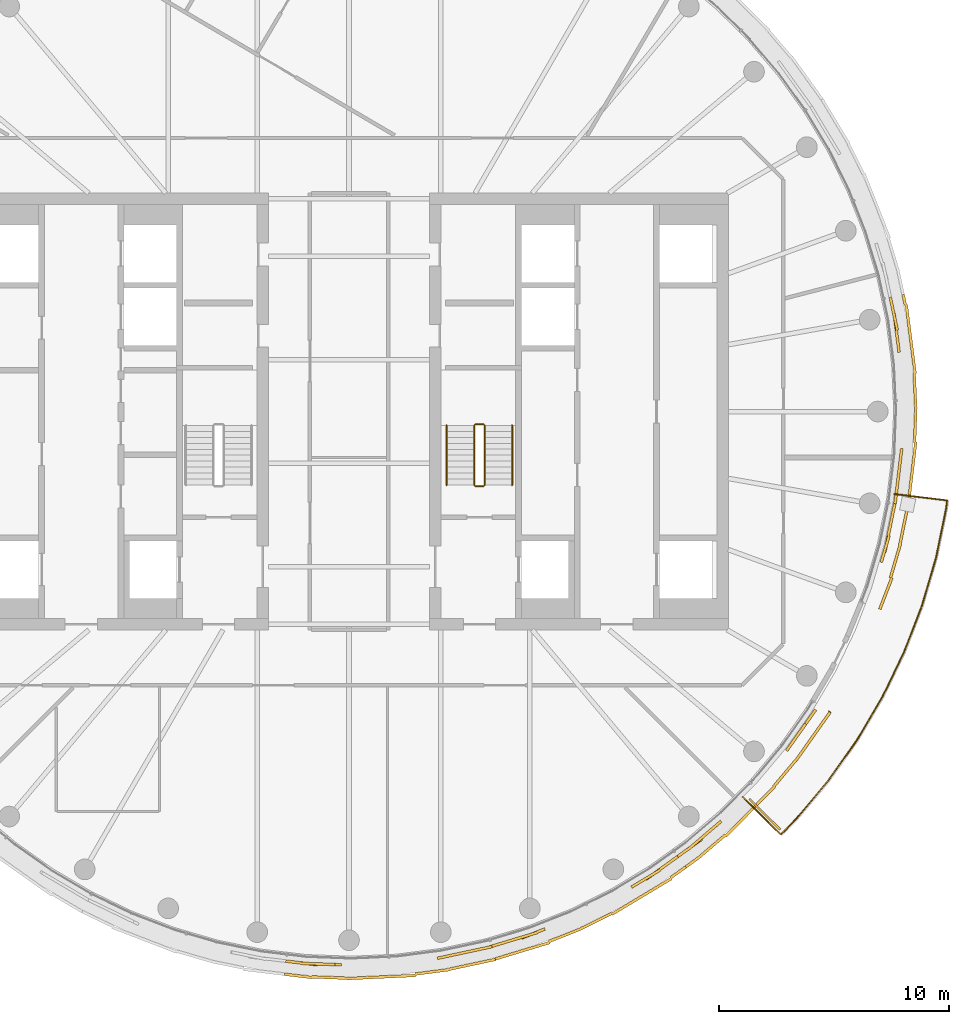
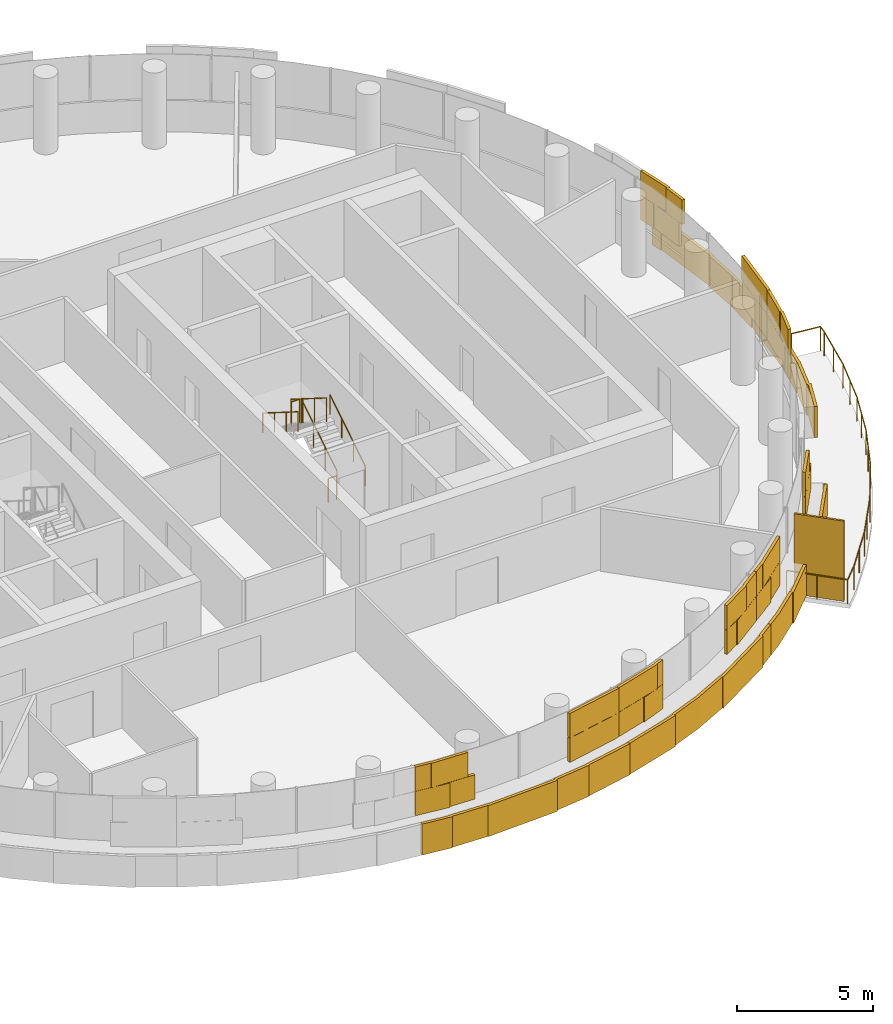
# One storey, part 23 of 26: 7 railings, 5 coverings, 1 shading device.
"""IFC4 building model written with IfcOpenShell, lengths in metres."""

from ifc_helpers import new_model, si_unit, direction, frame, origin, origin_2d, place, context, subcontext, project, spatial, rectangle, circle, extrude, material, layer, layer_set, type_object, element, save


model = new_model("IFC4")

# Units and contexts
model_context = context("Model", 3, precision=1e-05, world=origin(), true_north=direction((0.0, 1.0)))
body_context = subcontext(model_context, "Body", "Model", "MODEL_VIEW")
ifc_project = project(units=[si_unit("LENGTHUNIT", "METRE"), si_unit("AREAUNIT", "SQUARE_METRE"), si_unit("VOLUMEUNIT", "CUBIC_METRE"), si_unit("PLANEANGLEUNIT", "RADIAN"), si_unit("MASSUNIT", "GRAM", prefix="KILO")], contexts=[model_context])

# Site, building, storey
site_placement = place(None, origin())
site = spatial("IfcSite", under=ifc_project, at=site_placement, CompositionType="ELEMENT")
building_placement = place(site_placement, origin())
building = spatial("IfcBuilding", under=site, at=building_placement, Name="Tamarind Cross Interchange Tower", CompositionType="ELEMENT")
storey_placement = place(building_placement, frame((0.0, 0.0, 248.699951171875)))
storey = spatial("IfcBuildingStorey", under=building, at=storey_placement, Name="L63", CompositionType="ELEMENT", Elevation=248.699951171875)

# Railing
ifc_material_1 = material(Name="Stainless steel and laminated glass", Category="steel")
railing_type_1 = type_object("IfcRailingType", Name="Balcony guard", PredefinedType="BALUSTRADE", material=ifc_material_1)
railing_1_placement = place(storey_placement, frame((17.136474609375, -16.7685546875, 0.0)))
element("IfcRailing", 1, at=railing_1_placement, inside=storey, type_object=railing_type_1, Name="Balcony guard 01", PredefinedType="BALUSTRADE", context=body_context, shape_type="SweptSolid", body=[
    extrude(circle(Radius=0.02490234375, at=origin_2d()), frame((0.0, 0.0, 1.0751953125), z_axis=(0.710151671, -0.704048722871, 0.0), x_axis=(0.704048722871, 0.710151671, 0.0)), (0.0, 0.0, 1.0), 2.3203125),
    extrude(circle(Radius=0.02490234375, at=origin_2d()), frame((1.647705078125, -1.633544921875, 1.0751953125), z_axis=(0.703951275382, 0.710248267782, 0.0), x_axis=(-0.710248267782, 0.703951275382, 0.0)), (0.0, 0.0, 1.0), 0.930419921875),
    extrude(circle(Radius=0.02490234375, at=origin_2d()), frame((2.302734375, -0.97265625, 1.0751953125), z_axis=(0.642984125922, 0.765879503455, 0.0), x_axis=(-0.765879503455, 0.642984125922, 0.0)), (0.0, 0.0, 1.0), 2.17529296875),
    extrude(circle(Radius=0.02490234375, at=origin_2d()), frame((3.701416015625, 0.693359375, 1.0751953125), z_axis=(0.577590617379, 0.81632657602, 0.0), x_axis=(-0.81632657602, 0.577590617379, 0.0)), (0.0, 0.0, 1.0), 2.175048828125),
    extrude(circle(Radius=0.02490234375, at=origin_2d()), frame((4.957763671875, 2.468994140625, 1.0751953125), z_axis=(0.508226290333, 0.861223570169, 0.0), x_axis=(-0.861223570169, 0.508226290333, 0.0)), (0.0, 0.0, 1.0), 2.175048828125),
    extrude(circle(Radius=0.02490234375, at=origin_2d()), frame((6.063232421875, 4.34228515625, 1.0751953125), z_axis=(0.435276325285, 0.90029690694, 0.0), x_axis=(-0.90029690694, 0.435276325285, 0.0)), (0.0, 0.0, 1.0), 2.175048828125),
    extrude(circle(Radius=0.02490234375, at=origin_2d()), frame((7.010009765625, 6.300537109375, 1.0751953125), z_axis=(0.359497979449, 0.93314586361, 0.0), x_axis=(-0.93314586361, 0.359497979449, 0.0)), (0.0, 0.0, 1.0), 2.17529296875),
    extrude(circle(Radius=0.02490234375, at=origin_2d()), frame((7.7919921875, 8.330322265625, 1.0751953125), z_axis=(0.281266871208, 0.959629588519, 0.0), x_axis=(-0.959629588519, 0.281266871208, 0.0)), (0.0, 0.0, 1.0), 2.17529296875),
    extrude(circle(Radius=0.02490234375, at=origin_2d()), frame((8.40380859375, 10.417724609375, 1.0751953125), z_axis=(0.200905479979, 0.97961063087, 0.0), x_axis=(-0.97961063087, 0.200905479979, 0.0)), (0.0, 0.0, 1.0), 2.17529296875),
    extrude(circle(Radius=0.02490234375, at=origin_2d()), frame((8.8408203125, 12.548583984375, 1.0751953125), z_axis=(0.119657483305, 0.992815232905, 0.0), x_axis=(-0.992815232905, 0.119657483305, 0.0)), (0.0, 0.0, 1.0), 0.357177734375),
    extrude(circle(Radius=0.02490234375, at=origin_2d()), frame((8.883544921875, 12.903076171875, 1.0751953125), z_axis=(-0.992841940747, 0.119435675967, 0.0), x_axis=(-0.119435675967, -0.992841940747, 0.0)), (0.0, 0.0, 1.0), 2.320068359375),
    extrude(circle(Radius=0.02001953125, at=origin_2d()), origin(), (0.0, 0.0, 1.0), 1.050048828125),
    extrude(circle(Radius=0.02001953125, at=origin_2d()), frame((0.82373046875, -0.81689453125, 0.0)), (0.0, 0.0, 1.0), 1.050048828125),
    extrude(circle(Radius=0.02001953125, at=origin_2d()), frame((1.647705078125, -1.633544921875, 0.0)), (0.0, 0.0, 1.0), 1.050048828125),
    extrude(circle(Radius=0.02001953125, at=origin_2d()), frame((2.302734375, -0.97265625, 0.0)), (0.0, 0.0, 1.0), 1.050048828125),
    extrude(circle(Radius=0.02001953125, at=origin_2d()), frame((3.001953125, -0.1396484375, 0.0)), (0.0, 0.0, 1.0), 1.050048828125),
    extrude(circle(Radius=0.02001953125, at=origin_2d()), frame((3.701416015625, 0.693359375, 0.0)), (0.0, 0.0, 1.0), 1.050048828125),
    extrude(circle(Radius=0.02001953125, at=origin_2d()), frame((4.32958984375, 1.5810546875, 0.0)), (0.0, 0.0, 1.0), 1.050048828125),
    extrude(circle(Radius=0.02001953125, at=origin_2d()), frame((4.957763671875, 2.468994140625, 0.0)), (0.0, 0.0, 1.0), 1.050048828125),
    extrude(circle(Radius=0.02001953125, at=origin_2d()), frame((5.510498046875, 3.40576171875, 0.0)), (0.0, 0.0, 1.0), 1.050048828125),
    extrude(circle(Radius=0.02001953125, at=origin_2d()), frame((6.063232421875, 4.34228515625, 0.0)), (0.0, 0.0, 1.0), 1.050048828125),
    extrude(circle(Radius=0.02001953125, at=origin_2d()), frame((6.53662109375, 5.3212890625, 0.0)), (0.0, 0.0, 1.0), 1.050048828125),
    extrude(circle(Radius=0.02001953125, at=origin_2d()), frame((7.010009765625, 6.300537109375, 0.0)), (0.0, 0.0, 1.0), 1.050048828125),
    extrude(circle(Radius=0.02001953125, at=origin_2d()), frame((7.40087890625, 7.3154296875, 0.0)), (0.0, 0.0, 1.0), 1.050048828125),
    extrude(circle(Radius=0.02001953125, at=origin_2d()), frame((7.7919921875, 8.330322265625, 0.0)), (0.0, 0.0, 1.0), 1.050048828125),
    extrude(circle(Radius=0.02001953125, at=origin_2d()), frame((8.097900390625, 9.3740234375, 0.0)), (0.0, 0.0, 1.0), 1.050048828125),
    extrude(circle(Radius=0.02001953125, at=origin_2d()), frame((8.40380859375, 10.417724609375, 0.0)), (0.0, 0.0, 1.0), 1.050048828125),
    extrude(circle(Radius=0.02001953125, at=origin_2d()), frame((8.622314453125, 11.483154296875, 0.0)), (0.0, 0.0, 1.0), 1.050048828125),
    extrude(circle(Radius=0.02001953125, at=origin_2d()), frame((8.8408203125, 12.548583984375, 0.0)), (0.0, 0.0, 1.0), 1.050048828125),
    extrude(circle(Radius=0.02001953125, at=origin_2d()), frame((8.883544921875, 12.903076171875, 0.0)), (0.0, 0.0, 1.0), 1.050048828125),
    extrude(circle(Radius=0.02001953125, at=origin_2d()), frame((7.73193359375, 13.04150390625, 0.0)), (0.0, 0.0, 1.0), 1.050048828125),
    extrude(circle(Radius=0.02001953125, at=origin_2d()), frame((6.580078125, 13.18017578125, 0.0)), (0.0, 0.0, 1.0), 1.050048828125),
])

# Shading device
ifc_material_2 = material(Name="Bronze-finish aluminium louvre", Category="aluminium")
ifc_layer_1 = layer(ifc_material_2, 0.080078125)
ifc_layer_set_1 = layer_set([ifc_layer_1], Name="Bronze-finish aluminium louvre")
shading_device_type = type_object("IfcShadingDeviceType", Name="Operable louvre bay", PredefinedType="JALOUSIE", material=ifc_layer_set_1)
shading_device_placement = place(storey_placement, origin())
element("IfcShadingDevice", 2, at=shading_device_placement, inside=storey, type_object=shading_device_type, Name="LVR-L63-BAL01", PredefinedType="JALOUSIE", context=body_context, shape_type="SweptSolid", body=[
    extrude(rectangle(XDim=1.89990234375, YDim=0.080078125, at=origin_2d()), frame((18.087158203125, -17.51416015625, 0.0), z_axis=(0.0, 0.0, 1.0), x_axis=(0.710143317658, -0.704057148523, 0.0)), (0.0, 0.0, 1.0), 3.60009765625),
])

# Railings
ifc_material_3 = material(Name="Stair guard")
railing_type_2 = type_object("IfcRailingType", Name="Stair guard", PredefinedType="GUARDRAIL", material=ifc_material_3)
railing_2_placement = place(storey_placement, frame((5.89990234375, -3.199951171875, 0.16357421875)))
element("IfcRailing", 3, at=railing_2_placement, inside=storey, type_object=railing_type_2, Name="L63 ST2 stair guard 1", PredefinedType="GUARDRAIL", context=body_context, shape_type="SweptSolid", body=[
    extrude(circle(Radius=0.02392578125, at=origin_2d()), frame((0.0, 0.0, 1.076171875), z_axis=(0.0, 0.846301844409, 0.532703658848), x_axis=(-1.0, 0.0, 0.0)), (0.0, 0.0, 1.0), 3.072021484375),
    extrude(circle(Radius=0.02099609375, at=origin_2d()), origin(), (0.0, 0.0, 1.0), 1.052001953125),
    extrude(circle(Radius=0.02099609375, at=origin_2d()), frame((0.0, 0.86669921875, 0.54541015625)), (0.0, 0.0, 1.0), 1.052001953125),
    extrude(circle(Radius=0.02099609375, at=origin_2d()), frame((0.0, 1.733154296875, 1.091064453125)), (0.0, 0.0, 1.0), 1.052001953125),
    extrude(circle(Radius=0.02099609375, at=origin_2d()), frame((0.0, 2.599853515625, 1.636474609375)), (0.0, 0.0, 1.0), 1.052001953125),
])
railing_3_placement = place(storey_placement, frame((5.85009765625, -0.550048828125, 1.800048828125)))
element("IfcRailing", 4, at=railing_3_placement, inside=storey, type_object=railing_type_2, Name="L63 ST2 stair guard 2", PredefinedType="GUARDRAIL", context=body_context, shape_type="SweptSolid", body=[
    extrude(circle(Radius=0.02392578125, at=origin_2d()), frame((0.0, 0.0, 1.076171875), z_axis=(-1.0, 0.0, 0.0), x_axis=(0.0, -1.0, 0.0)), (0.0, 0.0, 1.0), 0.35009765625),
    extrude(circle(Radius=0.02099609375, at=origin_2d()), origin(), (0.0, 0.0, 1.0), 1.052001953125),
    extrude(circle(Radius=0.02099609375, at=origin_2d()), frame((-0.35009765625, 0.0, 0.0)), (0.0, 0.0, 1.0), 1.052001953125),
])
railing_4_placement = place(storey_placement, frame((5.449951171875, -0.60009765625, 1.963623046875)))
element("IfcRailing", 5, at=railing_4_placement, inside=storey, type_object=railing_type_2, Name="L63 ST2 stair guard 3", PredefinedType="GUARDRAIL", context=body_context, shape_type="SweptSolid", body=[
    extrude(circle(Radius=0.02392578125, at=origin_2d()), frame((0.0, 0.0, 1.076171875), z_axis=(0.0, -0.846301844409, 0.532703658848), x_axis=(1.0, 0.0, 0.0)), (0.0, 0.0, 1.0), 3.072021484375),
    extrude(circle(Radius=0.02099609375, at=origin_2d()), origin(), (0.0, 0.0, 1.0), 1.052001953125),
    extrude(circle(Radius=0.02099609375, at=origin_2d()), frame((0.0, -0.86669921875, 0.54541015625)), (0.0, 0.0, 1.0), 1.052001953125),
    extrude(circle(Radius=0.02099609375, at=origin_2d()), frame((0.0, -1.733154296875, 1.091064453125)), (0.0, 0.0, 1.0), 1.052001953125),
    extrude(circle(Radius=0.02099609375, at=origin_2d()), frame((0.0, -2.599853515625, 1.636474609375)), (0.0, 0.0, 1.0), 1.052001953125),
])
railing_5_placement = place(storey_placement, frame((5.85009765625, -3.25, 0.0)))
element("IfcRailing", 6, at=railing_5_placement, inside=storey, type_object=railing_type_2, Name="L63 ST2 stair guard 4", PredefinedType="GUARDRAIL", context=body_context, shape_type="SweptSolid", body=[
    extrude(circle(Radius=0.02392578125, at=origin_2d()), frame((0.0, 0.0, 1.076171875), z_axis=(-1.0, 0.0, 0.0), x_axis=(0.0, -1.0, 0.0)), (0.0, 0.0, 1.0), 0.35009765625),
    extrude(circle(Radius=0.02099609375, at=origin_2d()), origin(), (0.0, 0.0, 1.0), 1.052001953125),
    extrude(circle(Radius=0.02099609375, at=origin_2d()), frame((-0.35009765625, 0.0, 0.0)), (0.0, 0.0, 1.0), 1.052001953125),
])
ifc_material_4 = material(Name="Stair handrail")
railing_type_3 = type_object("IfcRailingType", Name="Stair handrail", PredefinedType="HANDRAIL", material=ifc_material_4)
railing_6_placement = place(storey_placement, frame((7.10009765625, -3.199951171875, 0.16357421875)))
element("IfcRailing", 7, at=railing_6_placement, inside=storey, type_object=railing_type_3, Name="L63 ST2 stair handrail 1", PredefinedType="HANDRAIL", context=body_context, shape_type="SweptSolid", body=[
    extrude(circle(Radius=0.02392578125, at=origin_2d()), frame((0.0, 0.0, 0.8759765625), z_axis=(0.0, 0.846301844409, 0.532703658848), x_axis=(-1.0, 0.0, 0.0)), (0.0, 0.0, 1.0), 3.072021484375),
    extrude(circle(Radius=0.02099609375, at=origin_2d()), origin(), (0.0, 0.0, 1.0), 0.851806640625),
    extrude(circle(Radius=0.02099609375, at=origin_2d()), frame((0.0, 0.86669921875, 0.54541015625)), (0.0, 0.0, 1.0), 0.851806640625),
    extrude(circle(Radius=0.02099609375, at=origin_2d()), frame((0.0, 1.733154296875, 1.091064453125)), (0.0, 0.0, 1.0), 0.851806640625),
    extrude(circle(Radius=0.02099609375, at=origin_2d()), frame((0.0, 2.599853515625, 1.636474609375)), (0.0, 0.0, 1.0), 0.851806640625),
])
railing_7_placement = place(storey_placement, frame((4.25, -0.60009765625, 1.963623046875)))
element("IfcRailing", 8, at=railing_7_placement, inside=storey, type_object=railing_type_3, Name="L63 ST2 stair handrail 2", PredefinedType="HANDRAIL", context=body_context, shape_type="SweptSolid", body=[
    extrude(circle(Radius=0.02392578125, at=origin_2d()), frame((0.0, 0.0, 0.8759765625), z_axis=(0.0, -0.846301844409, 0.532703658848), x_axis=(1.0, 0.0, 0.0)), (0.0, 0.0, 1.0), 3.072021484375),
    extrude(circle(Radius=0.02099609375, at=origin_2d()), origin(), (0.0, 0.0, 1.0), 0.851806640625),
    extrude(circle(Radius=0.02099609375, at=origin_2d()), frame((0.0, -0.86669921875, 0.54541015625)), (0.0, 0.0, 1.0), 0.851806640625),
    extrude(circle(Radius=0.02099609375, at=origin_2d()), frame((0.0, -1.733154296875, 1.091064453125)), (0.0, 0.0, 1.0), 0.851806640625),
    extrude(circle(Radius=0.02099609375, at=origin_2d()), frame((0.0, -2.599853515625, 1.636474609375)), (0.0, 0.0, 1.0), 0.851806640625),
])

# Coverings
ifc_material_5 = material(Name="Terracotta", Category="masonry")
ifc_layer_2 = layer(ifc_material_5, 0.1201171875)
ifc_layer_set_2 = layer_set([ifc_layer_2], Name="Terracotta")
covering_type = type_object("IfcCoveringType", Name="Terracotta baguette screen unit", PredefinedType="MOLDING", material=ifc_layer_set_2)
covering_1_placement = place(storey_placement, origin())
element("IfcCovering", 9, at=covering_1_placement, inside=storey, type_object=covering_type, Name="SCR-L63-01-03", PredefinedType="MOLDING", context=body_context, shape_type="SweptSolid", body=[
    extrude(rectangle(XDim=1.38818359375, YDim=0.1201171875, at=origin_2d()), frame((-2.06494140625, -23.990478515625, 1.40380859375), z_axis=(0.0, 0.0, 1.0), x_axis=(0.992843710523, -0.119420963295, 0.0)), (0.0, 0.0, 1.0), 1.092041015625),
    extrude(rectangle(XDim=1.05322265625, YDim=0.1201171875, at=origin_2d()), frame((-0.856201171875, -24.05029296875, 1.40380859375), z_axis=(0.0, 0.0, 1.0), x_axis=(0.999314350871, -0.037024696392, 0.0)), (0.0, 0.0, 1.0), 1.092041015625),
    extrude(rectangle(XDim=0.766845703125, YDim=0.1201171875, at=origin_2d()), frame((4.22119140625, -23.707275390625, 1.40380859375), z_axis=(0.0, 0.0, 1.0), x_axis=(0.977824623121, 0.209425419705, 0.0)), (0.0, 0.0, 1.0), 1.092041015625),
    extrude(rectangle(XDim=1.52001953125, YDim=0.1201171875, at=origin_2d()), frame((5.324462890625, -23.470947265625, 1.40380859375), z_axis=(0.0, 0.0, 1.0), x_axis=(0.977824623121, 0.209425419705, 0.0)), (0.0, 0.0, 1.0), 1.092041015625),
    extrude(rectangle(XDim=0.174560546875, YDim=0.1201171875, at=origin_2d()), frame((6.1357421875, -23.286376953125, 1.40380859375), z_axis=(0.0, 0.0, 1.0), x_axis=(0.957190642199, 0.289458243079, 0.0)), (0.0, 0.0, 1.0), 1.092041015625),
    extrude(rectangle(XDim=0.63818359375, YDim=0.1201171875, at=origin_2d()), frame((-2.437255859375, -23.94580078125, 2.50390625), z_axis=(0.0, 0.0, 1.0), x_axis=(0.992843710523, -0.119420963295, 0.0)), (0.0, 0.0, 1.0), 1.092041015625),
    extrude(rectangle(XDim=1.52001953125, YDim=0.1201171875, at=origin_2d()), frame((-1.37744140625, -24.031005859375, 2.50390625), z_axis=(0.0, 0.0, 1.0), x_axis=(0.999314350871, -0.037024696392, 0.0)), (0.0, 0.0, 1.0), 1.092041015625),
    extrude(rectangle(XDim=1.52001953125, YDim=0.1201171875, at=origin_2d()), frame((4.591064453125, -23.6279296875, 2.50390625), z_axis=(0.0, 0.0, 1.0), x_axis=(0.977824623121, 0.209425419705, 0.0)), (0.0, 0.0, 1.0), 1.092041015625),
    extrude(rectangle(XDim=0.924560546875, YDim=0.1201171875, at=origin_2d()), frame((5.771728515625, -23.375, 2.50390625), z_axis=(0.0, 0.0, 1.0), x_axis=(0.977824623121, 0.209425419705, 0.0)), (0.0, 0.0, 1.0), 1.092041015625),
    extrude(rectangle(XDim=1.224609375, YDim=0.1201171875, at=origin_2d()), frame((-2.206787109375, -24.551513671875, 0.00390625), z_axis=(0.0, 0.0, 1.0), x_axis=(0.992843710523, -0.119420963295, 0.0)), (0.0, 0.0, 1.0), 1.39208984375),
    extrude(rectangle(XDim=1.52001953125, YDim=0.1201171875, at=origin_2d()), frame((-0.857177734375, -24.62451171875, 0.00390625), z_axis=(0.0, 0.0, 1.0), x_axis=(0.999314350871, -0.037024696392, 0.0)), (0.0, 0.0, 1.0), 1.39208984375),
    extrude(rectangle(XDim=1.52001953125, YDim=0.1201171875, at=origin_2d()), frame((0.6416015625, -24.6357421875, 0.00390625), z_axis=(0.0, 0.0, 1.0), x_axis=(0.998958660912, 0.045624486728, 0.0)), (0.0, 0.0, 1.0), 1.39208984375),
    extrude(rectangle(XDim=1.52001953125, YDim=0.1201171875, at=origin_2d()), frame((2.14013671875, -24.5673828125, 0.00390625), z_axis=(0.0, 0.0, 1.0), x_axis=(0.998958660912, 0.045624486728, 0.0)), (0.0, 0.0, 1.0), 1.39208984375),
    extrude(rectangle(XDim=1.52001953125, YDim=0.1201171875, at=origin_2d()), frame((3.627685546875, -24.375732421875, 0.00390625), z_axis=(0.0, 0.0, 1.0), x_axis=(0.991779070368, 0.127962008342, 0.0)), (0.0, 0.0, 1.0), 1.39208984375),
    extrude(rectangle(XDim=1.52001953125, YDim=0.1201171875, at=origin_2d()), frame((5.10205078125, -24.10546875, 0.00390625), z_axis=(0.0, 0.0, 1.0), x_axis=(0.977824623121, 0.209425419705, 0.0)), (0.0, 0.0, 1.0), 1.39208984375),
    extrude(rectangle(XDim=0.5537109375, YDim=0.1201171875, at=origin_2d()), frame((6.096435546875, -23.892578125, 0.00390625), z_axis=(0.0, 0.0, 1.0), x_axis=(0.977824623121, 0.209425419705, 0.0)), (0.0, 0.0, 1.0), 1.39208984375),
])
covering_2_placement = place(storey_placement, origin())
element("IfcCovering", 10, at=covering_2_placement, inside=storey, type_object=covering_type, Name="SCR-L63-01-04", PredefinedType="MOLDING", context=body_context, shape_type="SweptSolid", body=[
    extrude(rectangle(XDim=1.345458984375, YDim=0.1201171875, at=origin_2d()), frame((6.853515625, -23.069091796875, 1.40380859375), z_axis=(0.0, 0.0, 1.0), x_axis=(0.957190642199, 0.289458243079, 0.0)), (0.0, 0.0, 1.0), 1.092041015625),
    extrude(rectangle(XDim=1.09619140625, YDim=0.1201171875, at=origin_2d()), frame((8.010009765625, -22.711181640625, 1.40380859375), z_axis=(0.0, 0.0, 1.0), x_axis=(0.930018078613, 0.367513773146, 0.0)), (0.0, 0.0, 1.0), 1.092041015625),
    extrude(rectangle(XDim=0.723876953125, YDim=0.1201171875, at=origin_2d()), frame((12.59716796875, -20.506103515625, 1.40380859375), z_axis=(0.0, 0.0, 1.0), x_axis=(0.856843065292, 0.515577308909, 0.0)), (0.0, 0.0, 1.0), 1.092041015625),
    extrude(rectangle(XDim=1.52001953125, YDim=0.1201171875, at=origin_2d()), frame((13.530517578125, -19.91259765625, 1.40380859375), z_axis=(0.0, 0.0, 1.0), x_axis=(0.811340475102, 0.584573890505, 0.0)), (0.0, 0.0, 1.0), 1.092041015625),
    extrude(rectangle(XDim=0.2177734375, YDim=0.1201171875, at=origin_2d()), frame((14.223388671875, -19.413330078125, 1.40380859375), z_axis=(0.0, 0.0, 1.0), x_axis=(0.811340475102, 0.584573890505, 0.0)), (0.0, 0.0, 1.0), 1.092041015625),
    extrude(rectangle(XDim=0.595458984375, YDim=0.1201171875, at=origin_2d()), frame((6.49462890625, -23.177734375, 2.50390625), z_axis=(0.0, 0.0, 1.0), x_axis=(0.957190642199, 0.289458243079, 0.0)), (0.0, 0.0, 1.0), 1.092041015625),
    extrude(rectangle(XDim=1.52001953125, YDim=0.1201171875, at=origin_2d()), frame((7.49267578125, -22.8759765625, 2.50390625), z_axis=(0.0, 0.0, 1.0), x_axis=(0.957190642199, 0.289458243079, 0.0)), (0.0, 0.0, 1.0), 1.092041015625),
    extrude(rectangle(XDim=0.34619140625, YDim=0.1201171875, at=origin_2d()), frame((8.358642578125, -22.5732421875, 2.50390625), z_axis=(0.0, 0.0, 1.0), x_axis=(0.930018078613, 0.367513773146, 0.0)), (0.0, 0.0, 1.0), 1.092041015625),
    extrude(rectangle(XDim=1.473876953125, YDim=0.1201171875, at=origin_2d()), frame((12.91845703125, -20.31298828125, 2.50390625), z_axis=(0.0, 0.0, 1.0), x_axis=(0.856843065292, 0.515577308909, 0.0)), (0.0, 0.0, 1.0), 1.092041015625),
    extrude(rectangle(XDim=0.9677734375, YDim=0.1201171875, at=origin_2d()), frame((13.9189453125, -19.632568359375, 2.50390625), z_axis=(0.0, 0.0, 1.0), x_axis=(0.811340475102, 0.584573890505, 0.0)), (0.0, 0.0, 1.0), 1.092041015625),
    extrude(rectangle(XDim=0.96630859375, YDim=0.1201171875, at=origin_2d()), frame((6.8251953125, -23.677490234375, 0.00390625), z_axis=(0.0, 0.0, 1.0), x_axis=(0.957190642199, 0.289458243079, 0.0)), (0.0, 0.0, 1.0), 1.39208984375),
    extrude(rectangle(XDim=1.52001953125, YDim=0.1201171875, at=origin_2d()), frame((7.995849609375, -23.323486328125, 0.00390625), z_axis=(0.0, 0.0, 1.0), x_axis=(0.957190642199, 0.289458243079, 0.0)), (0.0, 0.0, 1.0), 1.39208984375),
    extrude(rectangle(XDim=1.52001953125, YDim=0.1201171875, at=origin_2d()), frame((9.39404296875, -22.78125, 0.00390625), z_axis=(0.0, 0.0, 1.0), x_axis=(0.930018078613, 0.367513773146, 0.0)), (0.0, 0.0, 1.0), 1.39208984375),
    extrude(rectangle(XDim=1.52001953125, YDim=0.1201171875, at=origin_2d()), frame((10.7607421875, -22.166259765625, 0.00390625), z_axis=(0.0, 0.0, 1.0), x_axis=(0.896492548518, 0.443058811505, 0.0)), (0.0, 0.0, 1.0), 1.39208984375),
    extrude(rectangle(XDim=1.52001953125, YDim=0.1201171875, at=origin_2d()), frame((12.09326171875, -21.479248046875, 0.00390625), z_axis=(0.0, 0.0, 1.0), x_axis=(0.856843065292, 0.515577308909, 0.0)), (0.0, 0.0, 1.0), 1.39208984375),
    extrude(rectangle(XDim=1.52001953125, YDim=0.1201171875, at=origin_2d()), frame((13.378662109375, -20.7060546875, 0.00390625), z_axis=(0.0, 0.0, 1.0), x_axis=(0.856843065292, 0.515577308909, 0.0)), (0.0, 0.0, 1.0), 1.39208984375),
    extrude(rectangle(XDim=0.812744140625, YDim=0.1201171875, at=origin_2d()), frame((14.319091796875, -20.0517578125, 0.00390625), z_axis=(0.0, 0.0, 1.0), x_axis=(0.811340475102, 0.584573890505, 0.0)), (0.0, 0.0, 1.0), 1.39208984375),
])
covering_3_placement = place(storey_placement, origin())
element("IfcCovering", 11, at=covering_3_placement, inside=storey, type_object=covering_type, Name="SCR-L63-01-05", PredefinedType="MOLDING", context=body_context, shape_type="SweptSolid", body=[
    extrude(rectangle(XDim=1.30224609375, YDim=0.1201171875, at=origin_2d()), frame((14.831787109375, -18.974853515625, 1.40380859375), z_axis=(0.0, 0.0, 1.0), x_axis=(0.811340475102, 0.584573890505, 0.0)), (0.0, 0.0, 1.0), 1.092041015625),
    extrude(rectangle(XDim=1.13916015625, YDim=0.1201171875, at=origin_2d()), frame((15.755126953125, -18.192138671875, 1.40380859375), z_axis=(0.0, 0.0, 1.0), x_axis=(0.760295606781, 0.64957723968, 0.0)), (0.0, 0.0, 1.0), 1.092041015625),
    extrude(rectangle(XDim=0.680908203125, YDim=0.1201171875, at=origin_2d()), frame((19.235107421875, -14.479736328125, 1.40380859375), z_axis=(0.0, 0.0, 1.0), x_axis=(0.577568978284, 0.816341886298, 0.0)), (0.0, 0.0, 1.0), 1.092041015625),
    extrude(rectangle(XDim=1.52001953125, YDim=0.1201171875, at=origin_2d()), frame((19.862060546875, -13.593505859375, 1.40380859375), z_axis=(0.0, 0.0, 1.0), x_axis=(0.577568978284, 0.816341886298, 0.0)), (0.0, 0.0, 1.0), 1.092041015625),
    extrude(rectangle(XDim=0.55224609375, YDim=0.1201171875, at=origin_2d()), frame((14.527587890625, -19.194091796875, 2.50390625), z_axis=(0.0, 0.0, 1.0), x_axis=(0.811340475102, 0.584573890505, 0.0)), (0.0, 0.0, 1.0), 1.092041015625),
    extrude(rectangle(XDim=1.52001953125, YDim=0.1201171875, at=origin_2d()), frame((15.325927734375, -18.558837890625, 2.50390625), z_axis=(0.0, 0.0, 1.0), x_axis=(0.760295606781, 0.64957723968, 0.0)), (0.0, 0.0, 1.0), 1.092041015625),
    extrude(rectangle(XDim=0.38916015625, YDim=0.1201171875, at=origin_2d()), frame((16.0400390625, -17.948486328125, 2.50390625), z_axis=(0.0, 0.0, 1.0), x_axis=(0.760295606781, 0.64957723968, 0.0)), (0.0, 0.0, 1.0), 1.092041015625),
    extrude(rectangle(XDim=1.430908203125, YDim=0.1201171875, at=origin_2d()), frame((19.45166015625, -14.173583984375, 2.50390625), z_axis=(0.0, 0.0, 1.0), x_axis=(0.577568978284, 0.816341886298, 0.0)), (0.0, 0.0, 1.0), 1.092041015625),
    extrude(rectangle(XDim=0.707275390625, YDim=0.1201171875, at=origin_2d()), frame((14.935791015625, -19.607421875, 0.00390625), z_axis=(0.0, 0.0, 1.0), x_axis=(0.811340475102, 0.584573890505, 0.0)), (0.0, 0.0, 1.0), 1.39208984375),
    extrude(rectangle(XDim=1.52001953125, YDim=0.1201171875, at=origin_2d()), frame((15.785888671875, -18.920654296875, 0.00390625), z_axis=(0.0, 0.0, 1.0), x_axis=(0.760295606781, 0.64957723968, 0.0)), (0.0, 0.0, 1.0), 1.39208984375),
    extrude(rectangle(XDim=1.52001953125, YDim=0.1201171875, at=origin_2d()), frame((16.91552734375, -17.934814453125, 0.00390625), z_axis=(0.0, 0.0, 1.0), x_axis=(0.704057148523, 0.710143317658, 0.0)), (0.0, 0.0, 1.0), 1.39208984375),
    extrude(rectangle(XDim=1.52001953125, YDim=0.1201171875, at=origin_2d()), frame((17.971435546875, -16.869384765625, 0.00390625), z_axis=(0.0, 0.0, 1.0), x_axis=(0.704057148523, 0.710143317658, 0.0)), (0.0, 0.0, 1.0), 1.39208984375),
    extrude(rectangle(XDim=1.52001953125, YDim=0.1201171875, at=origin_2d()), frame((18.957275390625, -15.739990234375, 0.00390625), z_axis=(0.0, 0.0, 1.0), x_axis=(0.643009266048, 0.765858396687, 0.0)), (0.0, 0.0, 1.0), 1.39208984375),
    extrude(rectangle(XDim=1.52001953125, YDim=0.1201171875, at=origin_2d()), frame((19.88134765625, -14.56005859375, 0.00390625), z_axis=(0.0, 0.0, 1.0), x_axis=(0.577568978284, 0.816341886298, 0.0)), (0.0, 0.0, 1.0), 1.39208984375),
    extrude(rectangle(XDim=1.071044921875, YDim=0.1201171875, at=origin_2d()), frame((20.6181640625, -13.518798828125, 0.00390625), z_axis=(0.0, 0.0, 1.0), x_axis=(0.577568978284, 0.816341886298, 0.0)), (0.0, 0.0, 1.0), 1.39208984375),
])
covering_4_placement = place(storey_placement, origin())
element("IfcCovering", 12, at=covering_4_placement, inside=storey, type_object=covering_type, Name="SCR-L63-01-06", PredefinedType="MOLDING", context=body_context, shape_type="SweptSolid", body=[
    extrude(rectangle(XDim=0.4501953125, YDim=0.1201171875, at=origin_2d()), frame((23.218505859375, -6.343505859375, 1.40380859375), z_axis=(0.0, 0.0, 1.0), x_axis=(0.281208920763, 0.95964657186, 0.0)), (0.0, 0.0, 1.0), 1.092041015625),
    extrude(rectangle(XDim=1.52001953125, YDim=0.1201171875, at=origin_2d()), frame((23.4580078125, -5.404296875, 1.40380859375), z_axis=(0.0, 0.0, 1.0), x_axis=(0.201001463943, 0.9795909409, 0.0)), (0.0, 0.0, 1.0), 1.092041015625),
    extrude(rectangle(XDim=0.678955078125, YDim=0.1201171875, at=origin_2d()), frame((23.676025390625, -4.341796875, 1.40380859375), z_axis=(0.0, 0.0, 1.0), x_axis=(0.201001463943, 0.9795909409, 0.0)), (0.0, 0.0, 1.0), 1.092041015625),
    extrude(rectangle(XDim=1.2001953125, YDim=0.1201171875, at=origin_2d()), frame((23.323974609375, -5.983642578125, 2.50390625), z_axis=(0.0, 0.0, 1.0), x_axis=(0.281208920763, 0.95964657186, 0.0)), (0.0, 0.0, 1.0), 1.092041015625),
    extrude(rectangle(XDim=1.428955078125, YDim=0.1201171875, at=origin_2d()), frame((23.6005859375, -4.709228515625, 2.50390625), z_axis=(0.0, 0.0, 1.0), x_axis=(0.201001463943, 0.9795909409, 0.0)), (0.0, 0.0, 1.0), 1.092041015625),
    extrude(rectangle(XDim=0.03076171875, YDim=0.1201171875, at=origin_2d()), frame((20.908203125, -13.05078125, 0.00390625), z_axis=(0.0, 0.0, 1.0), x_axis=(0.508183308752, 0.861248933065, 0.0)), (0.0, 0.0, 1.0), 1.39208984375),
    extrude(rectangle(XDim=1.466064453125, YDim=0.1201171875, at=origin_2d()), frame((23.35498046875, -7.916015625, 0.00390625), z_axis=(0.0, 0.0, 1.0), x_axis=(0.359495435512, 0.933146843667, 0.0)), (0.0, 0.0, 1.0), 1.39208984375),
    extrude(rectangle(XDim=1.52001953125, YDim=0.1201171875, at=origin_2d()), frame((23.77001953125, -6.502685546875, 0.00390625), z_axis=(0.0, 0.0, 1.0), x_axis=(0.281208920763, 0.95964657186, 0.0)), (0.0, 0.0, 1.0), 1.39208984375),
    extrude(rectangle(XDim=1.52001953125, YDim=0.1201171875, at=origin_2d()), frame((24.11767578125, -5.044677734375, 0.00390625), z_axis=(0.0, 0.0, 1.0), x_axis=(0.201001463943, 0.9795909409, 0.0)), (0.0, 0.0, 1.0), 1.39208984375),
    extrude(rectangle(XDim=0.21435546875, YDim=0.1201171875, at=origin_2d()), frame((24.287841796875, -4.21484375, 0.00390625), z_axis=(0.0, 0.0, 1.0), x_axis=(0.201001463943, 0.9795909409, 0.0)), (0.0, 0.0, 1.0), 1.39208984375),
])
covering_5_placement = place(storey_placement, origin())
element("IfcCovering", 13, at=covering_5_placement, inside=storey, type_object=covering_type, Name="SCR-L63-01-07", PredefinedType="MOLDING", context=body_context, shape_type="SweptSolid", body=[
    extrude(rectangle(XDim=0.841064453125, YDim=0.1201171875, at=origin_2d()), frame((23.805419921875, -3.603759765625, 1.40380859375), z_axis=(0.0, 0.0, 1.0), x_axis=(0.119420963295, 0.992843710523, 0.0)), (0.0, 0.0, 1.0), 1.092041015625),
    extrude(rectangle(XDim=1.52001953125, YDim=0.1201171875, at=origin_2d()), frame((23.944580078125, -2.446533203125, 1.40380859375), z_axis=(0.0, 0.0, 1.0), x_axis=(0.119420963295, 0.992843710523, 0.0)), (0.0, 0.0, 1.0), 1.092041015625),
    extrude(rectangle(XDim=1.52001953125, YDim=0.1201171875, at=origin_2d()), frame((23.80908203125, 3.533935546875, 1.40380859375), z_axis=(0.0, 0.0, 1.0), x_axis=(-0.127962008342, 0.991779070368, 0.0)), (0.0, 0.0, 1.0), 1.092041015625),
    extrude(rectangle(XDim=0.7216796875, YDim=0.1201171875, at=origin_2d()), frame((23.62109375, 4.622802734375, 1.40380859375), z_axis=(0.0, 0.0, 1.0), x_axis=(-0.209425419705, 0.977824623121, 0.0)), (0.0, 0.0, 1.0), 1.092041015625),
    extrude(rectangle(XDim=0.091064453125, YDim=0.1201171875, at=origin_2d()), frame((23.751220703125, -3.974609375, 2.50390625), z_axis=(0.0, 0.0, 1.0), x_axis=(0.201001463943, 0.9795909409, 0.0)), (0.0, 0.0, 1.0), 1.092041015625),
    extrude(rectangle(XDim=1.52001953125, YDim=0.1201171875, at=origin_2d()), frame((23.85498046875, -3.191162109375, 2.50390625), z_axis=(0.0, 0.0, 1.0), x_axis=(0.119420963295, 0.992843710523, 0.0)), (0.0, 0.0, 1.0), 1.092041015625),
    extrude(rectangle(XDim=0.850341796875, YDim=0.1201171875, at=origin_2d()), frame((23.994873046875, -2.029296875, 2.50390625), z_axis=(0.0, 0.0, 1.0), x_axis=(0.119420963295, 0.992843710523, 0.0)), (0.0, 0.0, 1.0), 1.092041015625),
    extrude(rectangle(XDim=0.9697265625, YDim=0.1201171875, at=origin_2d()), frame((23.870361328125, 3.05810546875, 2.50390625), z_axis=(0.0, 0.0, 1.0), x_axis=(-0.127962008342, 0.991779070368, 0.0)), (0.0, 0.0, 1.0), 1.092041015625),
    extrude(rectangle(XDim=1.4716796875, YDim=0.1201171875, at=origin_2d()), frame((23.69970703125, 4.256103515625, 2.50390625), z_axis=(0.0, 0.0, 1.0), x_axis=(-0.209425419705, 0.977824623121, 0.0)), (0.0, 0.0, 1.0), 1.092041015625),
    extrude(rectangle(XDim=1.3056640625, YDim=0.1201171875, at=origin_2d()), frame((24.400390625, -3.4638671875, 0.00390625), z_axis=(0.0, 0.0, 1.0), x_axis=(0.119420963295, 0.992843710523, 0.0)), (0.0, 0.0, 1.0), 1.39208984375),
    extrude(rectangle(XDim=1.52001953125, YDim=0.1201171875, at=origin_2d()), frame((24.566650390625, -2.0810546875, 0.00390625), z_axis=(0.0, 0.0, 1.0), x_axis=(0.119420963295, 0.992843710523, 0.0)), (0.0, 0.0, 1.0), 1.39208984375),
    extrude(rectangle(XDim=1.52001953125, YDim=0.1201171875, at=origin_2d()), frame((24.634765625, -0.5830078125, 0.00390625), z_axis=(0.0, 0.0, 1.0), x_axis=(0.037024696392, 0.999314350871, 0.0)), (0.0, 0.0, 1.0), 1.39208984375),
    extrude(rectangle(XDim=1.52001953125, YDim=0.1201171875, at=origin_2d()), frame((24.623291015625, 0.915771484375, 0.00390625), z_axis=(0.0, 0.0, 1.0), x_axis=(-0.045624486728, 0.998958660912, 0.0)), (0.0, 0.0, 1.0), 1.39208984375),
    extrude(rectangle(XDim=1.52001953125, YDim=0.1201171875, at=origin_2d()), frame((24.532470703125, 2.412109375, 0.00390625), z_axis=(0.0, 0.0, 1.0), x_axis=(-0.127962008342, 0.991779070368, 0.0)), (0.0, 0.0, 1.0), 1.39208984375),
    extrude(rectangle(XDim=1.52001953125, YDim=0.1201171875, at=origin_2d()), frame((24.340576171875, 3.89990234375, 0.00390625), z_axis=(0.0, 0.0, 1.0), x_axis=(-0.127962008342, 0.991779070368, 0.0)), (0.0, 0.0, 1.0), 1.39208984375),
    extrude(rectangle(XDim=0.47265625, YDim=0.1201171875, at=origin_2d()), frame((24.15771484375, 4.858154296875, 0.00390625), z_axis=(0.0, 0.0, 1.0), x_axis=(-0.209425419705, 0.977824623121, 0.0)), (0.0, 0.0, 1.0), 1.39208984375),
])

save(model, "model.ifc")
